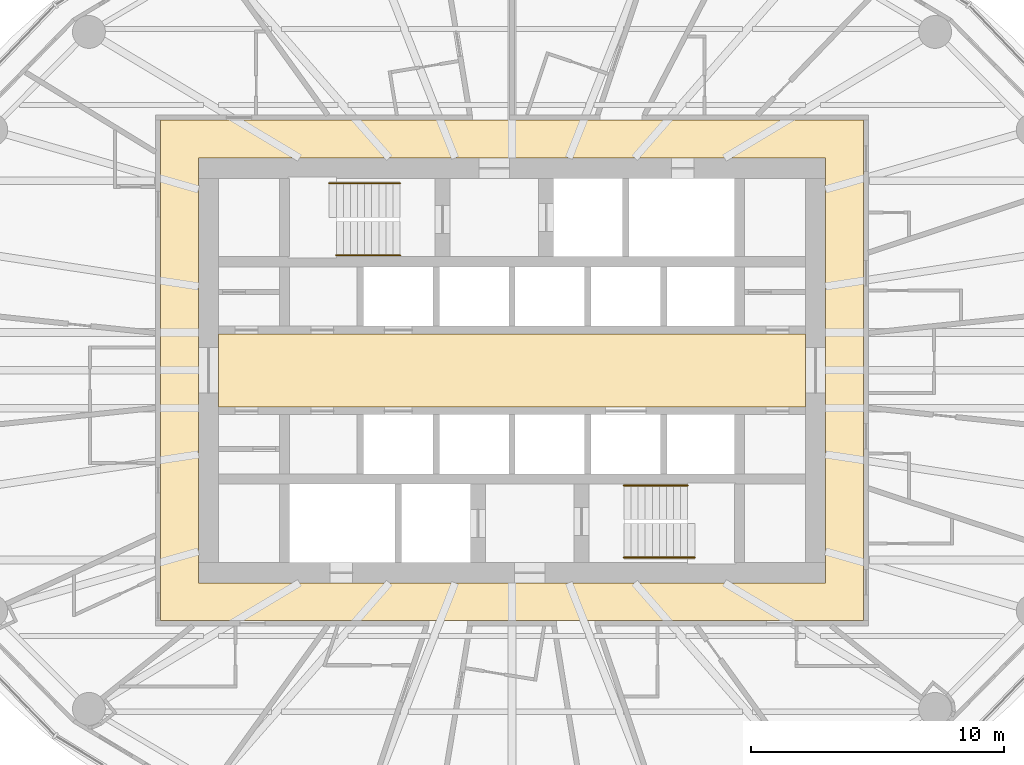
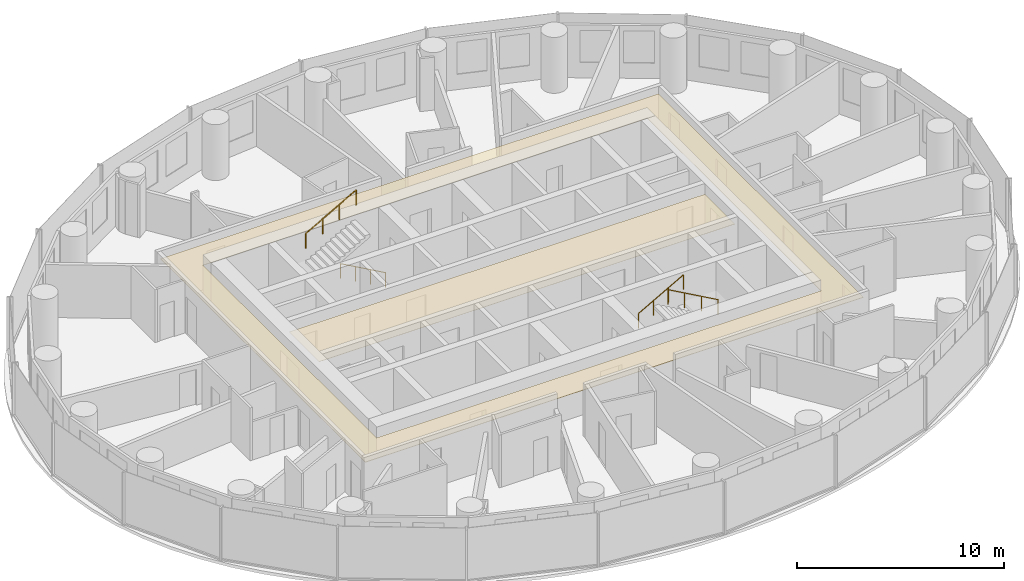
# One storey, part 13 of 13: 4 railings, 2 coverings.
"""IFC4 building model written with IfcOpenShell, lengths in metres."""

from ifc_helpers import new_model, si_unit, direction, frame, origin, origin_2d, place, context, subcontext, project, spatial, polyline, circle, outline, extrude, material, layer, layer_set, type_object, element, save


model = new_model("IFC4")

# Units and contexts
model_context = context("Model", 3, precision=1e-05, world=origin(), true_north=direction((0.0, 1.0)))
body_context = subcontext(model_context, "Body", "Model", "MODEL_VIEW")
ifc_project = project(units=[si_unit("LENGTHUNIT", "METRE"), si_unit("AREAUNIT", "SQUARE_METRE"), si_unit("VOLUMEUNIT", "CUBIC_METRE"), si_unit("PLANEANGLEUNIT", "RADIAN"), si_unit("MASSUNIT", "GRAM", prefix="KILO")], contexts=[model_context])

# Site, building, storey
site_placement = place(None, origin())
site = spatial("IfcSite", under=ifc_project, at=site_placement, CompositionType="ELEMENT")
building_placement = place(site_placement, origin())
building = spatial("IfcBuilding", under=site, at=building_placement, Name="Hankou Lantern Tower", CompositionType="ELEMENT")
storey_placement = place(building_placement, frame((0.0, 0.0, 132.0)))
storey = spatial("IfcBuildingStorey", under=building, at=storey_placement, Name="L34", CompositionType="ELEMENT", Elevation=132.0)

# Coverings
ifc_material_1 = material(Name="Black painted aluminium linear ceiling panels", Category="aluminium")
ifc_layer_1 = layer(ifc_material_1, 0.02490234375)
ifc_layer_set_1 = layer_set([ifc_layer_1], Name="Black painted aluminium linear ceiling panels")
covering_type_1 = type_object("IfcCoveringType", Name="CL1 CORRIDOR CEILING 25", PredefinedType="CEILING", material=ifc_layer_set_1)
covering_1_placement = place(storey_placement, frame((0.0, 0.0, 2.64501953125)))
element("IfcCovering", 1, at=covering_1_placement, inside=storey, type_object=covering_type_1, Name="Corridor ceiling L34", PredefinedType="CEILING", context=body_context, shape_type="SweptSolid", body=[
    extrude(outline(polyline([(-13.89990234375, -9.89990234375), (13.89990234375, -9.89990234375), (13.89990234375, 9.89990234375), (-13.89990234375, 9.89990234375), (-13.89990234375, -9.89990234375)]), holes=[polyline([(-12.39990234375, 8.39990234375), (12.39990234375, 8.39990234375), (12.39990234375, -8.39990234375), (-12.39990234375, -8.39990234375), (-12.39990234375, 8.39990234375)])]), origin(), (0.0, 0.0, 1.0), 0.02490234375),
])
ifc_material_2 = material(Name="Perforated black aluminium acoustic tray ceiling", Category="aluminium")
ifc_layer_2 = layer(ifc_material_2, 0.014892578125)
ifc_layer_set_2 = layer_set([ifc_layer_2], Name="Perforated black aluminium acoustic tray ceiling")
covering_type_2 = type_object("IfcCoveringType", Name="CL2 LIFT LOBBY CEILING 15", PredefinedType="CEILING", material=ifc_layer_set_2)
covering_2_placement = place(storey_placement, frame((0.0, 0.0, 2.655029296875)))
element("IfcCovering", 2, at=covering_2_placement, inside=storey, type_object=covering_type_2, Name="Lift lobby ceiling L34", PredefinedType="CEILING", context=body_context, shape_type="SweptSolid", body=[
    extrude(outline(polyline([(-11.60009765625, -1.449951171875), (11.60009765625, -1.449951171875), (11.60009765625, 1.449951171875), (-11.60009765625, 1.449951171875), (-11.60009765625, -1.449951171875)])), origin(), (0.0, 0.0, 1.0), 0.014892578125),
])

# Railings
ifc_material_3 = material(Name="Steel handrail", Category="steel")
railing_type = type_object("IfcRailingType", Name="HR1 STAIR HANDRAIL", PredefinedType="HANDRAIL", material=ifc_material_3)
railing_1_placement = place(storey_placement, frame((-4.429931640625, 4.550048828125, 0.89990234375)))
element("IfcRailing", 3, at=railing_1_placement, inside=storey, type_object=railing_type, Name="Handrail stair STA L34 flight 1", PredefinedType="HANDRAIL", context=body_context, shape_type="SweptSolid", body=[
    extrude(circle(Radius=0.02392578125, at=origin_2d()), frame((0.0, 0.0, 0.8759765625), z_axis=(-0.872048945198, 0.0, 0.489418672692), x_axis=(0.0, -1.0, 0.0)), (0.0, 0.0, 1.0), 2.8896484375),
    extrude(circle(Radius=0.02099609375, at=origin_2d()), origin(), (0.0, 0.0, 1.0), 0.851806640625),
    extrude(circle(Radius=0.02099609375, at=origin_2d()), frame((-0.840087890625, 0.0, 0.471435546875)), (0.0, 0.0, 1.0), 0.851806640625),
    extrude(circle(Radius=0.02099609375, at=origin_2d()), frame((-1.679931640625, 0.0, 0.94287109375)), (0.0, 0.0, 1.0), 0.851806640625),
    extrude(circle(Radius=0.02099609375, at=origin_2d()), frame((-2.52001953125, 0.0, 1.414306640625)), (0.0, 0.0, 1.0), 0.851806640625),
])
railing_2_placement = place(storey_placement, frame((-7.22998046875, 7.39990234375, 2.471435546875)))
element("IfcRailing", 4, at=railing_2_placement, inside=storey, type_object=railing_type, Name="Handrail stair STA L34 flight 2", PredefinedType="HANDRAIL", context=body_context, shape_type="SweptSolid", body=[
    extrude(circle(Radius=0.02392578125, at=origin_2d()), frame((0.0, 0.0, 0.8759765625), z_axis=(0.872040151574, 0.0, 0.489434340891), x_axis=(0.0, 1.0, 0.0)), (0.0, 0.0, 1.0), 3.2109375),
    extrude(circle(Radius=0.02099609375, at=origin_2d()), origin(), (0.0, 0.0, 1.0), 0.851806640625),
    extrude(circle(Radius=0.02099609375, at=origin_2d()), frame((0.933349609375, 0.0, 0.52392578125)), (0.0, 0.0, 1.0), 0.851806640625),
    extrude(circle(Radius=0.02099609375, at=origin_2d()), frame((1.86669921875, 0.0, 1.047607421875)), (0.0, 0.0, 1.0), 0.851806640625),
    extrude(circle(Radius=0.02099609375, at=origin_2d()), frame((2.800048828125, 0.0, 1.571533203125)), (0.0, 0.0, 1.0), 0.851806640625),
])
railing_3_placement = place(storey_placement, frame((4.429931640625, -4.550048828125, 0.89990234375)))
element("IfcRailing", 5, at=railing_3_placement, inside=storey, type_object=railing_type, Name="Handrail stair STB L34 flight 1", PredefinedType="HANDRAIL", context=body_context, shape_type="SweptSolid", body=[
    extrude(circle(Radius=0.02392578125, at=origin_2d()), frame((0.0, 0.0, 0.8759765625), z_axis=(0.872048945198, 0.0, 0.489418672692), x_axis=(0.0, 1.0, 0.0)), (0.0, 0.0, 1.0), 2.8896484375),
    extrude(circle(Radius=0.02099609375, at=origin_2d()), origin(), (0.0, 0.0, 1.0), 0.851806640625),
    extrude(circle(Radius=0.02099609375, at=origin_2d()), frame((0.840087890625, 0.0, 0.471435546875)), (0.0, 0.0, 1.0), 0.851806640625),
    extrude(circle(Radius=0.02099609375, at=origin_2d()), frame((1.679931640625, 0.0, 0.94287109375)), (0.0, 0.0, 1.0), 0.851806640625),
    extrude(circle(Radius=0.02099609375, at=origin_2d()), frame((2.52001953125, 0.0, 1.414306640625)), (0.0, 0.0, 1.0), 0.851806640625),
])
railing_4_placement = place(storey_placement, frame((7.22998046875, -7.39990234375, 2.471435546875)))
element("IfcRailing", 6, at=railing_4_placement, inside=storey, type_object=railing_type, Name="Handrail stair STB L34 flight 2", PredefinedType="HANDRAIL", context=body_context, shape_type="SweptSolid", body=[
    extrude(circle(Radius=0.02392578125, at=origin_2d()), frame((0.0, 0.0, 0.8759765625), z_axis=(-0.872040151574, 0.0, 0.489434340891), x_axis=(0.0, -1.0, 0.0)), (0.0, 0.0, 1.0), 3.2109375),
    extrude(circle(Radius=0.02099609375, at=origin_2d()), origin(), (0.0, 0.0, 1.0), 0.851806640625),
    extrude(circle(Radius=0.02099609375, at=origin_2d()), frame((-0.933349609375, 0.0, 0.52392578125)), (0.0, 0.0, 1.0), 0.851806640625),
    extrude(circle(Radius=0.02099609375, at=origin_2d()), frame((-1.86669921875, 0.0, 1.047607421875)), (0.0, 0.0, 1.0), 0.851806640625),
    extrude(circle(Radius=0.02099609375, at=origin_2d()), frame((-2.800048828125, 0.0, 1.571533203125)), (0.0, 0.0, 1.0), 0.851806640625),
])

save(model, "model.ifc")
